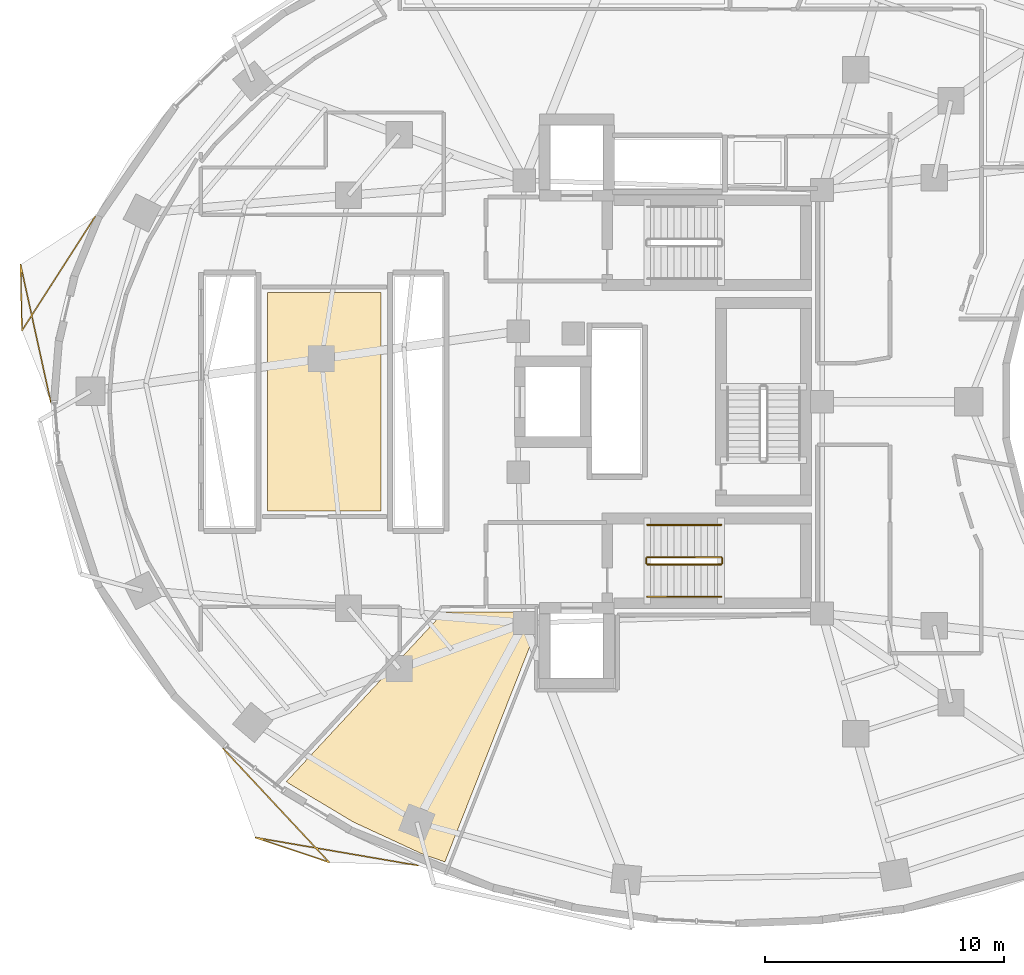
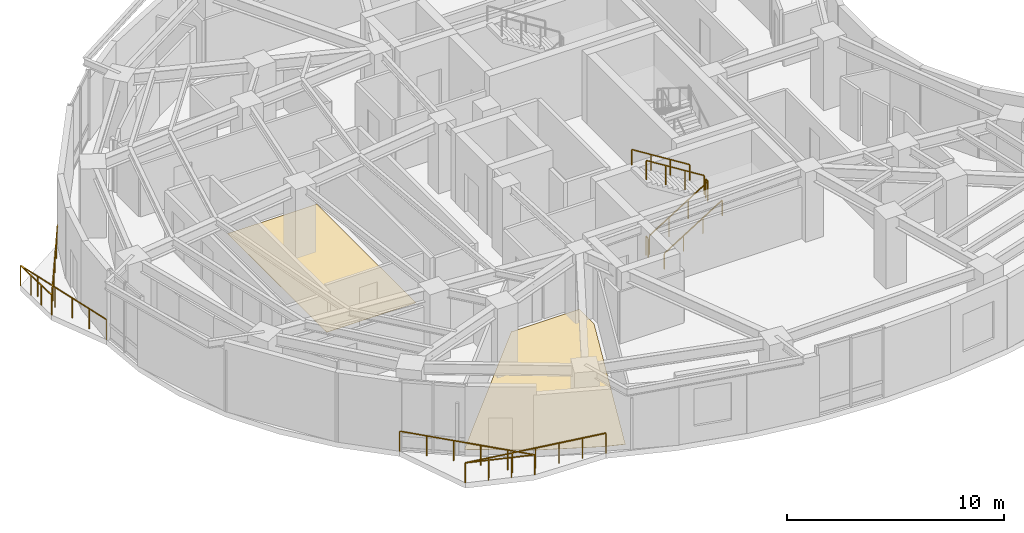
# One storey, part 12 of 14: 8 railings, 2 coverings.
"""IFC4 building model written with IfcOpenShell, lengths in metres."""

from ifc_helpers import new_model, si_unit, direction, frame, origin, origin_2d, place, context, subcontext, project, spatial, polyline, rectangle, outline, extrude, material, layer, layer_set, type_object, element, save


model = new_model("IFC4")

# Units and contexts
model_context = context("Model", 3, precision=1e-05, world=origin(), true_north=direction((0.0, 1.0)))
body_context = subcontext(model_context, "Body", "Model", "MODEL_VIEW")
ifc_project = project(units=[si_unit("LENGTHUNIT", "METRE"), si_unit("AREAUNIT", "SQUARE_METRE"), si_unit("VOLUMEUNIT", "CUBIC_METRE"), si_unit("PLANEANGLEUNIT", "RADIAN"), si_unit("MASSUNIT", "GRAM", prefix="KILO")], contexts=[model_context])

# Site, building, storey
site_placement = place(None, origin())
site = spatial("IfcSite", under=ifc_project, at=site_placement, CompositionType="ELEMENT")
building_placement = place(site_placement, origin())
building = spatial("IfcBuilding", under=site, at=building_placement, Name="Korentha Bioscience Tower", CompositionType="ELEMENT")
storey_placement = place(building_placement, frame((0.0, 0.0, 102.60009765625)))
storey = spatial("IfcBuildingStorey", under=building, at=storey_placement, Name="L23", CompositionType="ELEMENT", Elevation=102.60009765625)

# Railings
ifc_material_1 = material(Name="Stainless Steel 304", Category="steel")
railing_type_1 = type_object("IfcRailingType", Name="Brushed Stainless Stair Handrail 900", PredefinedType="HANDRAIL", material=ifc_material_1)
railing_1_placement = place(storey_placement, frame((30.25, 18.85009765625, 0.1748046875)))
element("IfcRailing", 1, at=railing_1_placement, inside=storey, type_object=railing_type_1, Name="L23 ST-2 stair handrail 1", PredefinedType="HANDRAIL", context=body_context, shape_type="SweptSolid", body=[
    extrude(rectangle(XDim=0.048095703125, YDim=0.048095703125, at=origin_2d()), frame((0.0, 0.0, 0.8759765625), z_axis=(0.847998304005, 0.0, 0.529998940003), x_axis=(0.0, 1.0, 0.0)), (0.0, 0.0, 1.0), 3.632080078125),
    extrude(rectangle(XDim=0.0419921875, YDim=0.0419921875, at=origin_2d()), origin(), (0.0, 0.0, 1.0), 0.851806640625),
    extrude(rectangle(XDim=0.0419921875, YDim=0.0419921875, at=origin_2d()), frame((1.026611328125, 0.0, 0.6416015625)), (0.0, 0.0, 1.0), 0.851806640625),
    extrude(rectangle(XDim=0.0419921875, YDim=0.0419921875, at=origin_2d()), frame((2.053466796875, 0.0, 1.283447265625)), (0.0, 0.0, 1.0), 0.851806640625),
    extrude(rectangle(XDim=0.0419921875, YDim=0.0419921875, at=origin_2d()), frame((3.080078125, 0.0, 1.925048828125)), (0.0, 0.0, 1.0), 0.851806640625),
])
railing_2_placement = place(storey_placement, frame((33.330078125, 21.85009765625, 2.27490234375)))
element("IfcRailing", 2, at=railing_2_placement, inside=storey, type_object=railing_type_1, Name="L23 ST-2 stair handrail 2", PredefinedType="HANDRAIL", context=body_context, shape_type="SweptSolid", body=[
    extrude(rectangle(XDim=0.048095703125, YDim=0.048095703125, at=origin_2d()), frame((0.0, 0.0, 0.8759765625), z_axis=(-0.847998304005, 0.0, 0.529998940003), x_axis=(0.0, -1.0, 0.0)), (0.0, 0.0, 1.0), 3.632080078125),
    extrude(rectangle(XDim=0.0419921875, YDim=0.0419921875, at=origin_2d()), origin(), (0.0, 0.0, 1.0), 0.851806640625),
    extrude(rectangle(XDim=0.0419921875, YDim=0.0419921875, at=origin_2d()), frame((-1.026611328125, 0.0, 0.6416015625)), (0.0, 0.0, 1.0), 0.851806640625),
    extrude(rectangle(XDim=0.0419921875, YDim=0.0419921875, at=origin_2d()), frame((-2.053466796875, 0.0, 1.283447265625)), (0.0, 0.0, 1.0), 0.851806640625),
    extrude(rectangle(XDim=0.0419921875, YDim=0.0419921875, at=origin_2d()), frame((-3.080078125, 0.0, 1.925048828125)), (0.0, 0.0, 1.0), 0.851806640625),
])
ifc_material_2 = material(Name="Laminated Tempered Safety Glass", Category="glass")
railing_type_2 = type_object("IfcRailingType", Name="Laminated Glass Balcony Guardrail 1150", PredefinedType="BALUSTRADE", material=ifc_material_2)
railing_3_placement = place(storey_placement, frame((7.17626953125, 34.74609375, 0.0)))
element("IfcRailing", 3, at=railing_3_placement, inside=storey, type_object=railing_type_2, Name="L23 Balcony Guardrail 02", PredefinedType="BALUSTRADE", context=body_context, shape_type="SweptSolid", body=[
    extrude(rectangle(XDim=0.048095703125, YDim=0.048095703125, at=origin_2d()), frame((0.0, 0.0, 1.1259765625), z_axis=(-0.539985183443, -0.841674522403, 0.0), x_axis=(0.841674522403, -0.539985183443, 0.0)), (0.0, 0.0, 1.0), 5.6728515625),
    extrude(rectangle(XDim=0.048095703125, YDim=0.048095703125, at=origin_2d()), frame((-3.063232421875, -4.774658203125, 1.1259765625), z_axis=(-0.020618734894, 0.999787411289, 0.0), x_axis=(-0.999787411289, -0.020618734894, 0.0)), (0.0, 0.0, 1.0), 2.7587890625),
    extrude(rectangle(XDim=0.048095703125, YDim=0.048095703125, at=origin_2d()), frame((-3.1201171875, -2.016357421875, 1.1259765625), z_axis=(0.214417947437, -0.976742004737, 0.0), x_axis=(0.976742004737, 0.214417947437, 0.0)), (0.0, 0.0, 1.0), 5.8662109375),
    extrude(rectangle(XDim=0.0419921875, YDim=0.0419921875, at=origin_2d()), origin(), (0.0, 0.0, 1.0), 1.101806640625),
    extrude(rectangle(XDim=0.0419921875, YDim=0.0419921875, at=origin_2d()), frame((-0.612548828125, -0.954833984375, 0.0)), (0.0, 0.0, 1.0), 1.101806640625),
    extrude(rectangle(XDim=0.0419921875, YDim=0.0419921875, at=origin_2d()), frame((-1.225341796875, -1.909912109375, 0.0)), (0.0, 0.0, 1.0), 1.101806640625),
    extrude(rectangle(XDim=0.0419921875, YDim=0.0419921875, at=origin_2d()), frame((-1.837890625, -2.86474609375, 0.0)), (0.0, 0.0, 1.0), 1.101806640625),
    extrude(rectangle(XDim=0.0419921875, YDim=0.0419921875, at=origin_2d()), frame((-2.45068359375, -3.81982421875, 0.0)), (0.0, 0.0, 1.0), 1.101806640625),
    extrude(rectangle(XDim=0.0419921875, YDim=0.0419921875, at=origin_2d()), frame((-3.063232421875, -4.774658203125, 0.0)), (0.0, 0.0, 1.0), 1.101806640625),
    extrude(rectangle(XDim=0.0419921875, YDim=0.0419921875, at=origin_2d()), frame((-3.082275390625, -3.855224609375, 0.0)), (0.0, 0.0, 1.0), 1.101806640625),
    extrude(rectangle(XDim=0.0419921875, YDim=0.0419921875, at=origin_2d()), frame((-3.10107421875, -2.935791015625, 0.0)), (0.0, 0.0, 1.0), 1.101806640625),
    extrude(rectangle(XDim=0.0419921875, YDim=0.0419921875, at=origin_2d()), frame((-3.1201171875, -2.016357421875, 0.0)), (0.0, 0.0, 1.0), 1.101806640625),
    extrude(rectangle(XDim=0.0419921875, YDim=0.0419921875, at=origin_2d()), frame((-2.86865234375, -3.162353515625, 0.0)), (0.0, 0.0, 1.0), 1.101806640625),
    extrude(rectangle(XDim=0.0419921875, YDim=0.0419921875, at=origin_2d()), frame((-2.616943359375, -4.308349609375, 0.0)), (0.0, 0.0, 1.0), 1.101806640625),
    extrude(rectangle(XDim=0.0419921875, YDim=0.0419921875, at=origin_2d()), frame((-2.365478515625, -5.4541015625, 0.0)), (0.0, 0.0, 1.0), 1.101806640625),
    extrude(rectangle(XDim=0.0419921875, YDim=0.0419921875, at=origin_2d()), frame((-2.11376953125, -6.60009765625, 0.0)), (0.0, 0.0, 1.0), 1.101806640625),
    extrude(rectangle(XDim=0.0419921875, YDim=0.0419921875, at=origin_2d()), frame((-1.8623046875, -7.74609375, 0.0)), (0.0, 0.0, 1.0), 1.101806640625),
])
railing_4_placement = place(storey_placement, frame((12.52294921875, 12.504638671875, 0.0)))
element("IfcRailing", 4, at=railing_4_placement, inside=storey, type_object=railing_type_2, Name="L23 Balcony Guardrail 03", PredefinedType="BALUSTRADE", context=body_context, shape_type="SweptSolid", body=[
    extrude(rectangle(XDim=0.048095703125, YDim=0.048095703125, at=origin_2d()), frame((0.0, 0.0, 1.1259765625), z_axis=(0.682045068732, -0.731310142292, 0.0), x_axis=(0.731310142292, 0.682045068732, 0.0)), (0.0, 0.0, 1.0), 6.496826171875),
    extrude(rectangle(XDim=0.048095703125, YDim=0.048095703125, at=origin_2d()), frame((4.43115234375, -4.751220703125, 1.1259765625), z_axis=(-0.948112006436, 0.317936508207, 0.0), x_axis=(-0.317936508207, -0.948112006436, 0.0)), (0.0, 0.0, 1.0), 3.256591796875),
    extrude(rectangle(XDim=0.048095703125, YDim=0.048095703125, at=origin_2d()), frame((1.343505859375, -3.7158203125, 1.1259765625), z_axis=(0.985573893579, -0.169245680285, 0.0), x_axis=(0.169245680285, 0.985573893579, 0.0)), (0.0, 0.0, 1.0), 6.899658203125),
    extrude(rectangle(XDim=0.0419921875, YDim=0.0419921875, at=origin_2d()), origin(), (0.0, 0.0, 1.0), 1.101806640625),
    extrude(rectangle(XDim=0.0419921875, YDim=0.0419921875, at=origin_2d()), frame((0.88623046875, -0.9501953125, 0.0)), (0.0, 0.0, 1.0), 1.101806640625),
    extrude(rectangle(XDim=0.0419921875, YDim=0.0419921875, at=origin_2d()), frame((1.7724609375, -1.900390625, 0.0)), (0.0, 0.0, 1.0), 1.101806640625),
    extrude(rectangle(XDim=0.0419921875, YDim=0.0419921875, at=origin_2d()), frame((2.65869140625, -2.850830078125, 0.0)), (0.0, 0.0, 1.0), 1.101806640625),
    extrude(rectangle(XDim=0.0419921875, YDim=0.0419921875, at=origin_2d()), frame((3.544921875, -3.801025390625, 0.0)), (0.0, 0.0, 1.0), 1.101806640625),
    extrude(rectangle(XDim=0.0419921875, YDim=0.0419921875, at=origin_2d()), frame((4.43115234375, -4.751220703125, 0.0)), (0.0, 0.0, 1.0), 1.101806640625),
    extrude(rectangle(XDim=0.0419921875, YDim=0.0419921875, at=origin_2d()), frame((3.40185546875, -4.406005859375, 0.0)), (0.0, 0.0, 1.0), 1.101806640625),
    extrude(rectangle(XDim=0.0419921875, YDim=0.0419921875, at=origin_2d()), frame((2.372802734375, -4.06103515625, 0.0)), (0.0, 0.0, 1.0), 1.101806640625),
    extrude(rectangle(XDim=0.0419921875, YDim=0.0419921875, at=origin_2d()), frame((1.343505859375, -3.7158203125, 0.0)), (0.0, 0.0, 1.0), 1.101806640625),
    extrude(rectangle(XDim=0.0419921875, YDim=0.0419921875, at=origin_2d()), frame((2.476806640625, -3.910400390625, 0.0)), (0.0, 0.0, 1.0), 1.101806640625),
    extrude(rectangle(XDim=0.0419921875, YDim=0.0419921875, at=origin_2d()), frame((3.610107421875, -4.10498046875, 0.0)), (0.0, 0.0, 1.0), 1.101806640625),
    extrude(rectangle(XDim=0.0419921875, YDim=0.0419921875, at=origin_2d()), frame((4.74365234375, -4.2998046875, 0.0)), (0.0, 0.0, 1.0), 1.101806640625),
    extrude(rectangle(XDim=0.0419921875, YDim=0.0419921875, at=origin_2d()), frame((5.876953125, -4.494384765625, 0.0)), (0.0, 0.0, 1.0), 1.101806640625),
    extrude(rectangle(XDim=0.0419921875, YDim=0.0419921875, at=origin_2d()), frame((7.01025390625, -4.68896484375, 0.0)), (0.0, 0.0, 1.0), 1.101806640625),
    extrude(rectangle(XDim=0.0419921875, YDim=0.0419921875, at=origin_2d()), frame((8.1435546875, -4.883544921875, 0.0)), (0.0, 0.0, 1.0), 1.101806640625),
])
ifc_material_3 = material(Name="Painted Steel S275", Category="steel")
railing_type_3 = type_object("IfcRailingType", Name="Painted Steel Stair Well Guardrail 1100", PredefinedType="GUARDRAIL", material=ifc_material_3)
railing_5_placement = place(storey_placement, frame((30.25, 20.199951171875, 0.1748046875)))
element("IfcRailing", 5, at=railing_5_placement, inside=storey, type_object=railing_type_3, Name="L23 ST-2 stair guard 1", PredefinedType="GUARDRAIL", context=body_context, shape_type="SweptSolid", body=[
    extrude(rectangle(XDim=0.048095703125, YDim=0.048095703125, at=origin_2d()), frame((0.0, 0.0, 1.076171875), z_axis=(0.847998304005, 0.0, 0.529998940003), x_axis=(0.0, 1.0, 0.0)), (0.0, 0.0, 1.0), 3.632080078125),
    extrude(rectangle(XDim=0.0419921875, YDim=0.0419921875, at=origin_2d()), origin(), (0.0, 0.0, 1.0), 1.052001953125),
    extrude(rectangle(XDim=0.0419921875, YDim=0.0419921875, at=origin_2d()), frame((1.026611328125, 0.0, 0.6416015625)), (0.0, 0.0, 1.0), 1.052001953125),
    extrude(rectangle(XDim=0.0419921875, YDim=0.0419921875, at=origin_2d()), frame((2.053466796875, 0.0, 1.283447265625)), (0.0, 0.0, 1.0), 1.052001953125),
    extrude(rectangle(XDim=0.0419921875, YDim=0.0419921875, at=origin_2d()), frame((3.080078125, 0.0, 1.925048828125)), (0.0, 0.0, 1.0), 1.052001953125),
])
railing_6_placement = place(storey_placement, frame((33.3798828125, 20.25, 2.099853515625)))
element("IfcRailing", 6, at=railing_6_placement, inside=storey, type_object=railing_type_3, Name="L23 ST-2 stair guard 2", PredefinedType="GUARDRAIL", context=body_context, shape_type="SweptSolid", body=[
    extrude(rectangle(XDim=0.048095703125, YDim=0.048095703125, at=origin_2d()), frame((0.0, 0.0, 1.076171875), z_axis=(0.0, 1.0, 0.0), x_axis=(-1.0, 0.0, 0.0)), (0.0, 0.0, 1.0), 0.199951171875),
    extrude(rectangle(XDim=0.0419921875, YDim=0.0419921875, at=origin_2d()), origin(), (0.0, 0.0, 1.0), 1.052001953125),
    extrude(rectangle(XDim=0.0419921875, YDim=0.0419921875, at=origin_2d()), frame((0.0, 0.199951171875, 0.0)), (0.0, 0.0, 1.0), 1.052001953125),
])
railing_7_placement = place(storey_placement, frame((33.330078125, 20.5, 2.27490234375)))
element("IfcRailing", 7, at=railing_7_placement, inside=storey, type_object=railing_type_3, Name="L23 ST-2 stair guard 3", PredefinedType="GUARDRAIL", context=body_context, shape_type="SweptSolid", body=[
    extrude(rectangle(XDim=0.048095703125, YDim=0.048095703125, at=origin_2d()), frame((0.0, 0.0, 1.076171875), z_axis=(-0.847998304005, 0.0, 0.529998940003), x_axis=(0.0, -1.0, 0.0)), (0.0, 0.0, 1.0), 3.632080078125),
    extrude(rectangle(XDim=0.0419921875, YDim=0.0419921875, at=origin_2d()), origin(), (0.0, 0.0, 1.0), 1.052001953125),
    extrude(rectangle(XDim=0.0419921875, YDim=0.0419921875, at=origin_2d()), frame((-1.026611328125, 0.0, 0.6416015625)), (0.0, 0.0, 1.0), 1.052001953125),
    extrude(rectangle(XDim=0.0419921875, YDim=0.0419921875, at=origin_2d()), frame((-2.053466796875, 0.0, 1.283447265625)), (0.0, 0.0, 1.0), 1.052001953125),
    extrude(rectangle(XDim=0.0419921875, YDim=0.0419921875, at=origin_2d()), frame((-3.080078125, 0.0, 1.925048828125)), (0.0, 0.0, 1.0), 1.052001953125),
])
railing_8_placement = place(storey_placement, frame((30.199951171875, 20.25, 0.0)))
element("IfcRailing", 8, at=railing_8_placement, inside=storey, type_object=railing_type_3, Name="L23 ST-2 stair guard 4", PredefinedType="GUARDRAIL", context=body_context, shape_type="SweptSolid", body=[
    extrude(rectangle(XDim=0.048095703125, YDim=0.048095703125, at=origin_2d()), frame((0.0, 0.0, 1.076171875), z_axis=(0.0, 1.0, 0.0), x_axis=(-1.0, 0.0, 0.0)), (0.0, 0.0, 1.0), 0.199951171875),
    extrude(rectangle(XDim=0.0419921875, YDim=0.0419921875, at=origin_2d()), origin(), (0.0, 0.0, 1.0), 1.052001953125),
    extrude(rectangle(XDim=0.0419921875, YDim=0.0419921875, at=origin_2d()), frame((0.0, 0.199951171875, 0.0)), (0.0, 0.0, 1.0), 1.052001953125),
])

# Coverings
ifc_material_4 = material(Name="Chemical-Resistant Epoxy Resin", Category="polymer")
ifc_layer = layer(ifc_material_4, 0.011962890625, Name="Chemical-Resistant Epoxy Resin")
ifc_layer_set = layer_set([ifc_layer], Name="Chemical-Resistant Epoxy Resin (FL-EPX)")
covering_type = type_object("IfcCoveringType", Name="Seamless Epoxy Laboratory Flooring 12", PredefinedType="FLOORING", material=ifc_layer_set)
covering_1_placement = place(storey_placement, origin())
element("IfcCovering", 9, at=covering_1_placement, inside=storey, type_object=covering_type, Name="L23 Research Colloquium Seminar Room 02 Floor Finish", PredefinedType="FLOORING", context=body_context, shape_type="SweptSolid", body=[
    extrude(outline(polyline([(20.857666015625, 8.094482421875), (17.93896484375, 9.4482421875), (15.25927734375, 11.05517578125), (15.1650390625, 11.127197265625), (21.749755859375, 18.219970703125), (25.3798828125, 18.219970703125), (25.3798828125, 16.881103515625), (21.7890625, 7.77197265625), (20.857666015625, 8.094482421875)])), origin(), (0.0, 0.0, 1.0), 0.011962890625),
])
covering_2_placement = place(storey_placement, origin())
element("IfcCovering", 10, at=covering_2_placement, inside=storey, type_object=covering_type, Name="L23 Glassware Autoclave Wash Alcove 10 Floor Finish", PredefinedType="FLOORING", context=body_context, shape_type="SweptSolid", body=[
    extrude(outline(polyline([(14.3798828125, 22.429931640625), (14.3798828125, 31.570068359375), (19.1201171875, 31.570068359375), (19.119873046875, 22.429931640625), (14.3798828125, 22.429931640625)])), origin(), (0.0, 0.0, 1.0), 0.011962890625),
])

save(model, "model.ifc")
